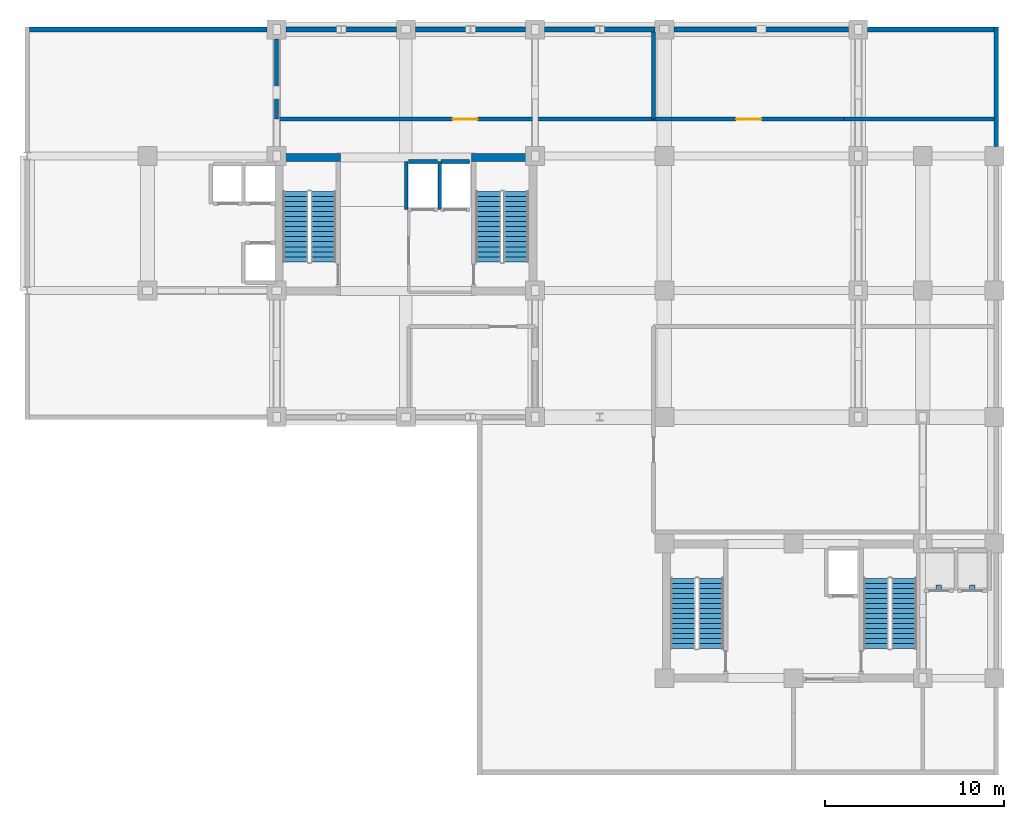
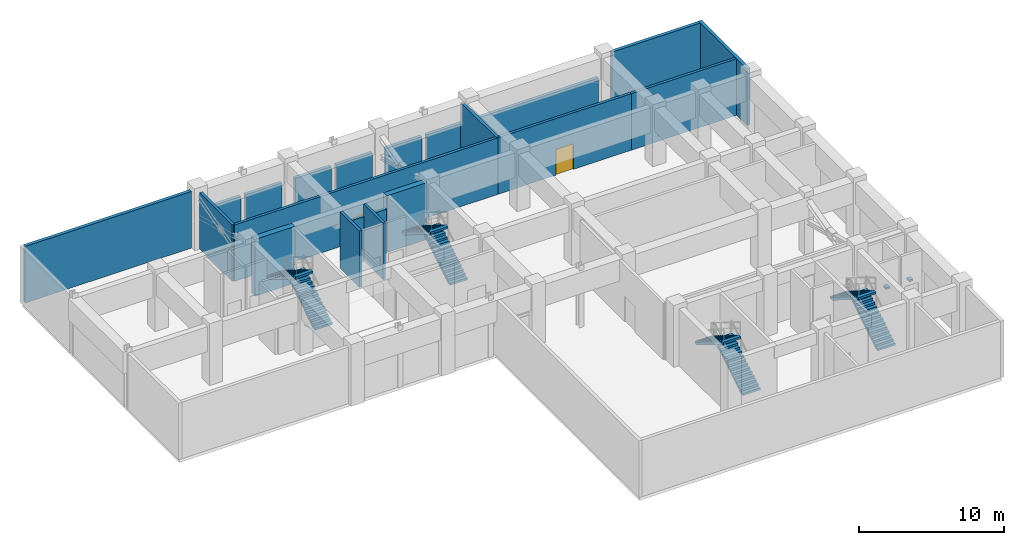
# One storey, part 6 of 10: 21 walls, 8 stair flights, 2 discrete accessories, 2 doors, 2 openings, 4 elements without a shape of their own.
"""IFC4 building model written with IfcOpenShell, lengths in metres."""

from ifc_helpers import new_model, si_unit, direction, frame, frame_2d, origin, origin_2d, place, context, subcontext, project, spatial, polyline, rectangle, outline, extrude, source, transform, mapped, material, layer, layer_set, type_object, element, fill, aggregate, save


model = new_model("IFC4")

# Units and contexts
model_context = context("Model", 3, precision=1e-05, world=origin(), true_north=direction((0.0, 1.0)))
body_context = subcontext(model_context, "Body", "Model", "MODEL_VIEW")
ifc_project = project(units=[si_unit("LENGTHUNIT", "METRE"), si_unit("AREAUNIT", "SQUARE_METRE"), si_unit("VOLUMEUNIT", "CUBIC_METRE"), si_unit("PLANEANGLEUNIT", "RADIAN"), si_unit("MASSUNIT", "GRAM", prefix="KILO")], contexts=[model_context])

# Site, building, storey
site_placement = place(None, origin())
site = spatial("IfcSite", under=ifc_project, at=site_placement, CompositionType="ELEMENT")
building_placement = place(site_placement, origin())
building = spatial("IfcBuilding", under=site, at=building_placement, Name="Kaliganga Portal Commons", CompositionType="ELEMENT")
storey_placement = place(building_placement, frame((0.0, 0.0, 192.0)))
storey = spatial("IfcBuildingStorey", under=building, at=storey_placement, Name="L49", CompositionType="ELEMENT", Elevation=192.0)

# Walls
ifc_material_1 = material(Name="Concrete C60/75", Category="concrete")
ifc_layer_1 = layer(ifc_material_1, 0.449951171875)
ifc_layer_set_1 = layer_set([ifc_layer_1], Name="Concrete C60/75")
wall_type_1 = type_object("IfcWallType", Name="WL-CORE-450", PredefinedType="SHEAR", material=ifc_layer_set_1)
for number, where, z_axis, x_axis, name in (
    (1, (14.75, 36.074951171875, 0.0), (0.0, 0.0, 1.0), (1.0, 0.0, 0.0), "Core A N-West Shear Wall L49"),
    (2, (25.25, 36.074951171875, 0.0), (0.0, 0.0, 1.0), (1.0, 0.0, 0.0), "Core A N-East Shear Wall L49"),
):
    element("IfcWall", number, at=place(storey_placement, frame(where, z_axis=z_axis, x_axis=x_axis)), inside=storey, type_object=wall_type_1, Name=name, PredefinedType="SHEAR", context=body_context, shape_type="SweptSolid", body=[
        extrude(rectangle(XDim=3.199951171875, YDim=0.449951171875, at=frame_2d((1.60009765625, 0.0))), origin(), (0.0, 0.0, 1.0), 4.780029296875),
    ])
ifc_material_2 = material(Name="Insulated Aluminium-Clad Spandrel Assembly", Category="aluminium")
ifc_layer_2 = layer(ifc_material_2, 0.260009765625)
ifc_layer_set_2 = layer_set([ifc_layer_2], Name="Insulated Aluminium-Clad Spandrel Assembly")
wall_type_2 = type_object("IfcWallType", Name="WL-EXT-SPAND-260", PredefinedType="STANDARD", material=ifc_layer_set_2)
wall_1_placement = place(storey_placement, frame((54.5, 43.330078125, 0.0), z_axis=(0.0, 0.0, 1.0), x_axis=(0.0, -1.0, 0.0)))
element("IfcWall", 3, at=wall_1_placement, inside=storey, type_object=wall_type_2, Name="Exterior Envelope Wall L49 P1-E01-S6", PredefinedType="STANDARD", context=body_context, shape_type="SweptSolid", body=[
    extrude(rectangle(XDim=6.654052734375, YDim=0.260009765625, at=frame_2d((3.3271484375, 0.0))), origin(), (0.0, 0.0, 1.0), 4.760009765625),
])
wall_2_placement = place(storey_placement, frame((47.325927734375, 43.199951171875, 0.0), z_axis=(0.0, 0.0, 1.0), x_axis=(1.0, 0.0, 0.0)))
element("IfcWall", 4, at=wall_2_placement, inside=storey, type_object=wall_type_2, Name="Exterior Envelope Wall L49 P1-E02-S1", PredefinedType="STANDARD", context=body_context, shape_type="SweptSolid", body=[
    extrude(rectangle(XDim=7.0390625, YDim=0.260009765625, at=frame_2d((3.51953125, 0.0))), origin(), (0.0, 0.0, 1.0), 4.760009765625),
])
wall_3_placement = place(storey_placement, frame((36.52587890625, 43.199951171875, 0.0), z_axis=(0.0, 0.0, 1.0), x_axis=(1.0, 0.0, 0.0)))
element("IfcWall", 5, at=wall_3_placement, inside=storey, type_object=wall_type_2, Name="Exterior Envelope Wall L49 P1-E02-S2", PredefinedType="STANDARD", context=body_context, shape_type="SweptSolid", body=[
    extrude(rectangle(XDim=9.748046875, YDim=0.260009765625, at=frame_2d((4.8740234375, 0.0))), origin(), (0.0, 0.0, 1.0), 2.9599609375),
])
for number, where, z_axis, x_axis, name in (
    (6, (32.60302734375, 43.199951171875, 0.0), (0.0, 0.0, 1.0), (1.0, 0.0, 0.0), "Exterior Envelope Wall L49 P1-E02-S3"),
    (7, (29.325927734375, 43.199951171875, 0.0), (0.0, 0.0, 1.0), (1.0, 0.0, 0.0), "Exterior Envelope Wall L49 P1-E02-S4"),
):
    element("IfcWall", number, at=place(storey_placement, frame(where, z_axis=z_axis, x_axis=x_axis)), inside=storey, type_object=wall_type_2, Name=name, PredefinedType="STANDARD", context=body_context, shape_type="SweptSolid", body=[
        extrude(rectangle(XDim=2.87109375, YDim=0.260009765625, at=frame_2d((1.435546875, 0.0))), origin(), (0.0, 0.0, 1.0), 2.9599609375),
    ])
wall_4_placement = place(storey_placement, frame((25.403076171875, 43.199951171875, 0.0), z_axis=(0.0, 0.0, 1.0), x_axis=(1.0, 0.0, 0.0)))
element("IfcWall", 8, at=wall_4_placement, inside=storey, type_object=wall_type_2, Name="Exterior Envelope Wall L49 P1-E02-S5", PredefinedType="STANDARD", context=body_context, shape_type="SweptSolid", body=[
    extrude(rectangle(XDim=2.870849609375, YDim=0.260009765625, at=frame_2d((1.435546875, 0.0))), origin(), (0.0, 0.0, 1.0), 2.9599609375),
])
for number, where, z_axis, x_axis, name in (
    (9, (22.1259765625, 43.199951171875, 0.0), (0.0, 0.0, 1.0), (1.0, 0.0, 0.0), "Exterior Envelope Wall L49 P1-E02-S6"),
    (10, (18.202880859375, 43.199951171875, 0.0), (0.0, 0.0, 1.0), (1.0, 0.0, 0.0), "Exterior Envelope Wall L49 P1-E02-S7"),
    (11, (14.926025390625, 43.199951171875, 0.0), (0.0, 0.0, 1.0), (1.0, 0.0, 0.0), "Exterior Envelope Wall L49 P1-E02-S8"),
):
    element("IfcWall", number, at=place(storey_placement, frame(where, z_axis=z_axis, x_axis=x_axis)), inside=storey, type_object=wall_type_2, Name=name, PredefinedType="STANDARD", context=body_context, shape_type="SweptSolid", body=[
        extrude(rectangle(XDim=2.87109375, YDim=0.260009765625, at=frame_2d((1.435546875, 0.0))), origin(), (0.0, 0.0, 1.0), 2.9599609375),
    ])
wall_5_placement = place(storey_placement, frame((0.635009765625, 43.199951171875, 0.0), z_axis=(0.0, 0.0, 1.0), x_axis=(1.0, 0.0, 0.0)))
element("IfcWall", 12, at=wall_5_placement, inside=storey, type_object=wall_type_2, Name="Exterior Envelope Wall L49 P1-E02-S9", PredefinedType="STANDARD", context=body_context, shape_type="SweptSolid", body=[
    extrude(rectangle(XDim=13.239013671875, YDim=0.260009765625, at=frame_2d((6.61962890625, 0.0))), origin(), (0.0, 0.0, 1.0), 4.760009765625),
])

# Wall, opening, door
ifc_material_3 = material(Name="Lightweight blockwork masonry", Category="masonry")
ifc_layer_3 = layer(ifc_material_3, 0.215087890625)
ifc_layer_set_3 = layer_set([ifc_layer_3], Name="Lightweight blockwork masonry")
wall_type_3 = type_object("IfcWallType", Name="WL-PART-PLANT-215", PredefinedType="PARTITIONING", material=ifc_layer_set_3)
wall_6_placement = place(storey_placement, frame((14.39990234375, 38.199951171875, 0.0), z_axis=(0.0, 0.0, 1.0), x_axis=(1.0, 0.0, 0.0)))
wall_6 = element("IfcWall", 13, at=wall_6_placement, inside=storey, type_object=wall_type_3, Name="Interior Partition L49-002", PredefinedType="PARTITIONING", context=body_context, shape_type="SweptSolid", body=[
    extrude(rectangle(XDim=21.0, YDim=0.215087890625, at=frame_2d((10.5, 0.0))), origin(), (0.0, 0.0, 1.0), 4.760009765625),
])
opening_1_placement = place(wall_6_placement, frame((9.800048828125, 0.0, 0.0)))
opening_1 = element("IfcOpeningElement", 14, at=opening_1_placement, cuts=wall_6, Name="Opening PD-01", PredefinedType="OPENING", context=body_context, shape_type="SweptSolid", body=[
    extrude(rectangle(XDim=1.39990234375, YDim=2.14990234375, at=frame_2d((0.699951171875, 1.074951171875))), frame((0.0, 0.11767578125, 0.0), z_axis=(0.0, -1.0, 0.0), x_axis=(1.0, 0.0, 0.0)), (0.0, 0.0, 1.0), 0.235107421875),
])
ifc_material_4 = material(Name="Heavy-Duty Steel Acoustic Louvre Fire Door", Category="steel")
door_type = type_object("IfcDoorType", Name="DR-PLANT-1400", OperationType="DOUBLE_DOOR_SINGLE_SWING", PredefinedType="DOOR", material=ifc_material_4)
door_1_placement = place(opening_1_placement, origin())
door_1 = element("IfcDoor", 15, at=door_1_placement, inside=storey, type_object=door_type, Name="Interior Door L49-AHU_N", OperationType="DOUBLE_DOOR_SINGLE_SWING", OverallHeight=2.14990234375, OverallWidth=1.39990234375, PredefinedType="DOOR", context=body_context, shape_type="SweptSolid", body=[
    extrude(rectangle(XDim=1.39990234375, YDim=2.14990234375, at=frame_2d((0.699951171875, 1.074951171875))), frame((0.0, 0.02490234375, 0.0), z_axis=(0.0, -1.0, 0.0), x_axis=(1.0, 0.0, 0.0)), (0.0, 0.0, 1.0), 0.050048828125),
])
fill(opening_1, door_1)

wall_7_placement = place(storey_placement, frame((35.39990234375, 38.199951171875, 0.0), z_axis=(0.0, 0.0, 1.0), x_axis=(1.0, 0.0, 0.0)))
wall_7 = element("IfcWall", 16, at=wall_7_placement, inside=storey, type_object=wall_type_3, Name="Interior Partition L49-004", PredefinedType="PARTITIONING", context=body_context, shape_type="SweptSolid", body=[
    extrude(rectangle(XDim=10.60009765625, YDim=0.215087890625, at=frame_2d((5.300048828125, 0.0))), origin(), (0.0, 0.0, 1.0), 4.760009765625),
])
opening_2_placement = place(wall_7_placement, frame((4.60009765625, 0.0, 0.0)))
opening_2 = element("IfcOpeningElement", 17, at=opening_2_placement, cuts=wall_7, Name="Opening PD-01", PredefinedType="OPENING", context=body_context, shape_type="SweptSolid", body=[
    extrude(rectangle(XDim=1.39990234375, YDim=2.14990234375, at=frame_2d((0.699951171875, 1.074951171875))), frame((0.0, 0.11767578125, 0.0), z_axis=(0.0, -1.0, 0.0), x_axis=(1.0, 0.0, 0.0)), (0.0, 0.0, 1.0), 0.235107421875),
])
door_2_placement = place(opening_2_placement, origin())
door_2 = element("IfcDoor", 18, at=door_2_placement, inside=storey, type_object=door_type, Name="Interior Door L49-ELEC", OperationType="DOUBLE_DOOR_SINGLE_SWING", OverallHeight=2.14990234375, OverallWidth=1.39990234375, PredefinedType="DOOR", context=body_context, shape_type="SweptSolid", body=[
    extrude(rectangle(XDim=1.39990234375, YDim=2.14990234375, at=frame_2d((0.699951171875, 1.074951171875))), frame((0.0, 0.02490234375, 0.0), z_axis=(0.0, -1.0, 0.0), x_axis=(1.0, 0.0, 0.0)), (0.0, 0.0, 1.0), 0.050048828125),
])
fill(opening_2, door_2)

# Walls
wall_8_placement = place(storey_placement, frame((46.0, 38.199951171875, 0.0), z_axis=(0.0, 0.0, 1.0), x_axis=(1.0, 0.0, 0.0)))
element("IfcWall", 19, at=wall_8_placement, inside=storey, type_object=wall_type_3, Name="Interior Partition L49-009", PredefinedType="PARTITIONING", context=body_context, shape_type="SweptSolid", body=[
    extrude(rectangle(XDim=8.367919921875, YDim=0.215087890625, at=frame_2d((4.18408203125, 0.0))), origin(), (0.0, 0.0, 1.0), 4.760009765625),
])
wall_9_placement = place(storey_placement, frame((14.39990234375, 38.199951171875, 0.0), z_axis=(0.0, 0.0, 1.0), x_axis=(0.0, 1.0, 0.0)))
element("IfcWall", 20, at=wall_9_placement, inside=storey, type_object=wall_type_3, Name="Interior Partition L49-014", PredefinedType="PARTITIONING", context=body_context, shape_type="SweptSolid", body=[
    extrude(rectangle(XDim=4.47509765625, YDim=0.215087890625, at=frame_2d((2.237548828125, 0.0))), origin(), (0.0, 0.0, 1.0), 4.760009765625),
])
wall_10_placement = place(storey_placement, frame((35.39990234375, 38.199951171875, 0.0), z_axis=(0.0, 0.0, 1.0), x_axis=(0.0, 1.0, 0.0)))
element("IfcWall", 21, at=wall_10_placement, inside=storey, type_object=wall_type_3, Name="Interior Partition L49-015", PredefinedType="PARTITIONING", context=body_context, shape_type="SweptSolid", body=[
    extrude(rectangle(XDim=4.8681640625, YDim=0.215087890625, at=frame_2d((2.43408203125, 0.0))), origin(), (0.0, 0.0, 1.0), 4.760009765625),
])
ifc_material_5 = material(Name="Fire-Rated Shaftwall Masonry Assembly", Category="masonry")
ifc_layer_4 = layer(ifc_material_5, 0.199951171875)
ifc_layer_set_4 = layer_set([ifc_layer_4], Name="Fire-Rated Shaftwall Masonry Assembly")
wall_type_4 = type_object("IfcWallType", Name="WL-SHAFT-200", PredefinedType="PARTITIONING", material=ifc_layer_set_4)
wall_11_placement = place(storey_placement, frame((21.75, 35.840087890625, 0.0), z_axis=(0.0, 0.0, 1.0), x_axis=(1.0, 0.0, 0.0)))
element("IfcWall", 22, at=wall_11_placement, inside=storey, type_object=wall_type_4, Name="Lift FFL-1 Hoistway Shaft Wall L49-N", PredefinedType="PARTITIONING", context=body_context, shape_type="SweptSolid", body=[
    extrude(rectangle(XDim=1.60009765625, YDim=0.199951171875, at=frame_2d((0.800048828125, 0.0))), origin(), (0.0, 0.0, 1.0), 3.760009765625),
])
for number, where, z_axis, x_axis, name in (
    (23, (21.610107421875, 33.159912109375, 0.0), (0.0, 0.0, 1.0), (0.0, 1.0, 0.0), "Lift FFL-1 Hoistway Shaft Wall L49-W"),
    (24, (23.489990234375, 33.159912109375, 0.0), (0.0, 0.0, 1.0), (0.0, 1.0, 0.0), "Lift FFL-1 Hoistway Shaft Wall L49-E"),
):
    element("IfcWall", number, at=place(storey_placement, frame(where, z_axis=z_axis, x_axis=x_axis)), inside=storey, type_object=wall_type_4, Name=name, PredefinedType="PARTITIONING", context=body_context, shape_type="SweptSolid", body=[
        extrude(rectangle(XDim=2.68017578125, YDim=0.199951171875, at=frame_2d((1.340087890625, 0.0))), origin(), (0.0, 0.0, 1.0), 4.760009765625),
    ])
wall_12_placement = place(storey_placement, frame((23.550048828125, 35.840087890625, 0.0), z_axis=(0.0, 0.0, 1.0), x_axis=(1.0, 0.0, 0.0)))
element("IfcWall", 25, at=wall_12_placement, inside=storey, type_object=wall_type_4, Name="Lift FFL-2 Hoistway Shaft Wall L49-N", PredefinedType="PARTITIONING", context=body_context, shape_type="SweptSolid", body=[
    extrude(rectangle(XDim=1.599853515625, YDim=0.199951171875, at=frame_2d((0.7998046875, 0.0))), origin(), (0.0, 0.0, 1.0), 3.760009765625),
])

# Stair, stair flights
ifc_material_6 = material(Name="Concrete C40/50", Category="concrete")
stair_type = type_object("IfcStairType", Name="ST-CORE-DOGLEG", PredefinedType="HALF_TURN_STAIR", material=ifc_material_6)
stair_1_placement = place(storey_placement, origin())
stair_1 = element("IfcStair", 26, at=stair_1_placement, inside=storey, type_object=stair_type, Name="L49 Protected Exit Stair ST-A1", PredefinedType="HALF_TURN_STAIR")
stair_flight_type = type_object("IfcStairFlightType", Name="STF-RC-1400", PredefinedType="STRAIGHT", material=ifc_material_6)
stair_flight_1_placement = place(storey_placement, frame((17.0, 30.25, 0.0), z_axis=(0.0, 0.0, 1.0), x_axis=(0.0, 1.0, 0.0)))
stair_flight_1 = element("IfcStairFlight", 27, at=stair_flight_1_placement, type_object=stair_flight_type, Name="ST-A1 flight 1", NumberOfRisers=15, NumberOfTreads=14, PredefinedType="STRAIGHT", RiserHeight=0.173333333, TreadLength=0.28, context=body_context, shape_type="SweptSolid", body=[
    extrude(outline(polyline([(0.0, 0.0), (0.0, 0.17333984375), (0.280029296875, 0.17333984375), (0.280029296875, 0.3466796875), (0.56005859375, 0.3466796875), (0.56005859375, 0.52001953125), (0.840087890625, 0.52001953125), (0.840087890625, 0.693359375), (1.1201171875, 0.693359375), (1.1201171875, 0.86669921875), (1.39990234375, 0.86669921875), (1.39990234375, 1.0400390625), (1.679931640625, 1.0400390625), (1.679931640625, 1.21337890625), (1.9599609375, 1.21337890625), (1.9599609375, 1.38671875), (2.239990234375, 1.38671875), (2.239990234375, 1.56005859375), (2.52001953125, 1.56005859375), (2.52001953125, 1.7333984375), (2.800048828125, 1.7333984375), (2.800048828125, 1.90673828125), (3.080078125, 1.90673828125), (3.080078125, 2.080078125), (3.360107421875, 2.080078125), (3.360107421875, 2.25341796875), (3.639892578125, 2.25341796875), (3.639892578125, 2.4267578125), (3.919921875, 2.4267578125), (3.919921875, 2.60009765625), (3.919921875, 2.250244140625), (0.284912109375, 0.0), (0.0, 0.0)])), frame((0.0, 0.699951171875, 0.0), z_axis=(0.0, -1.0, 0.0), x_axis=(1.0, 0.0, 0.0)), (0.0, 0.0, 1.0), 1.39990234375),
])
stair_flight_2_placement = place(storey_placement, frame((15.449951171875, 34.169921875, 2.60009765625), z_axis=(0.0, 0.0, 1.0), x_axis=(0.0, -1.0, 0.0)))
stair_flight_2 = element("IfcStairFlight", 28, at=stair_flight_2_placement, type_object=stair_flight_type, Name="ST-A1 flight 2", NumberOfRisers=15, NumberOfTreads=14, PredefinedType="STRAIGHT", RiserHeight=0.173333333, TreadLength=0.28, context=body_context, shape_type="SweptSolid", body=[
    extrude(outline(polyline([(0.0, 0.0), (0.0, 0.17333984375), (0.280029296875, 0.17333984375), (0.280029296875, 0.3466796875), (0.56005859375, 0.3466796875), (0.56005859375, 0.52001953125), (0.840087890625, 0.52001953125), (0.840087890625, 0.693359375), (1.1201171875, 0.693359375), (1.1201171875, 0.86669921875), (1.39990234375, 0.86669921875), (1.39990234375, 1.0400390625), (1.679931640625, 1.0400390625), (1.679931640625, 1.21337890625), (1.9599609375, 1.21337890625), (1.9599609375, 1.38671875), (2.239990234375, 1.38671875), (2.239990234375, 1.56005859375), (2.52001953125, 1.56005859375), (2.52001953125, 1.7333984375), (2.800048828125, 1.7333984375), (2.800048828125, 1.90673828125), (3.080078125, 1.90673828125), (3.080078125, 2.080078125), (3.360107421875, 2.080078125), (3.360107421875, 2.25341796875), (3.639892578125, 2.25341796875), (3.639892578125, 2.4267578125), (3.919921875, 2.4267578125), (3.919921875, 2.60009765625), (3.919921875, 2.250244140625), (0.284912109375, 0.0), (0.0, 0.0)])), frame((0.0, 0.699951171875, 0.0), z_axis=(0.0, -1.0, 0.0), x_axis=(1.0, 0.0, 0.0)), (0.0, 0.0, 1.0), 1.39990234375),
])
aggregate(stair_1, [stair_flight_1, stair_flight_2])

stair_2_placement = place(storey_placement, origin())
stair_2 = element("IfcStair", 29, at=stair_2_placement, inside=storey, type_object=stair_type, Name="L49 Protected Exit Stair ST-A2", PredefinedType="HALF_TURN_STAIR")
stair_flight_3_placement = place(storey_placement, frame((27.75, 30.25, 0.0), z_axis=(0.0, 0.0, 1.0), x_axis=(0.0, 1.0, 0.0)))
stair_flight_3 = element("IfcStairFlight", 30, at=stair_flight_3_placement, type_object=stair_flight_type, Name="ST-A2 flight 1", NumberOfRisers=15, NumberOfTreads=14, PredefinedType="STRAIGHT", RiserHeight=0.173333333, TreadLength=0.28, context=body_context, shape_type="SweptSolid", body=[
    extrude(outline(polyline([(0.0, 0.0), (0.0, 0.17333984375), (0.280029296875, 0.17333984375), (0.280029296875, 0.3466796875), (0.56005859375, 0.3466796875), (0.56005859375, 0.52001953125), (0.840087890625, 0.52001953125), (0.840087890625, 0.693359375), (1.1201171875, 0.693359375), (1.1201171875, 0.86669921875), (1.39990234375, 0.86669921875), (1.39990234375, 1.0400390625), (1.679931640625, 1.0400390625), (1.679931640625, 1.21337890625), (1.9599609375, 1.21337890625), (1.9599609375, 1.38671875), (2.239990234375, 1.38671875), (2.239990234375, 1.56005859375), (2.52001953125, 1.56005859375), (2.52001953125, 1.7333984375), (2.800048828125, 1.7333984375), (2.800048828125, 1.90673828125), (3.080078125, 1.90673828125), (3.080078125, 2.080078125), (3.360107421875, 2.080078125), (3.360107421875, 2.25341796875), (3.639892578125, 2.25341796875), (3.639892578125, 2.4267578125), (3.919921875, 2.4267578125), (3.919921875, 2.60009765625), (3.919921875, 2.250244140625), (0.284912109375, 0.0), (0.0, 0.0)])), frame((0.0, 0.699951171875, 0.0), z_axis=(0.0, -1.0, 0.0), x_axis=(1.0, 0.0, 0.0)), (0.0, 0.0, 1.0), 1.39990234375),
])
stair_flight_4_placement = place(storey_placement, frame((26.199951171875, 34.169921875, 2.60009765625), z_axis=(0.0, 0.0, 1.0), x_axis=(0.0, -1.0, 0.0)))
stair_flight_4 = element("IfcStairFlight", 31, at=stair_flight_4_placement, type_object=stair_flight_type, Name="ST-A2 flight 2", NumberOfRisers=15, NumberOfTreads=14, PredefinedType="STRAIGHT", RiserHeight=0.173333333, TreadLength=0.28, context=body_context, shape_type="SweptSolid", body=[
    extrude(outline(polyline([(0.0, 0.0), (0.0, 0.17333984375), (0.280029296875, 0.17333984375), (0.280029296875, 0.3466796875), (0.56005859375, 0.3466796875), (0.56005859375, 0.52001953125), (0.840087890625, 0.52001953125), (0.840087890625, 0.693359375), (1.1201171875, 0.693359375), (1.1201171875, 0.86669921875), (1.39990234375, 0.86669921875), (1.39990234375, 1.0400390625), (1.679931640625, 1.0400390625), (1.679931640625, 1.21337890625), (1.9599609375, 1.21337890625), (1.9599609375, 1.38671875), (2.239990234375, 1.38671875), (2.239990234375, 1.56005859375), (2.52001953125, 1.56005859375), (2.52001953125, 1.7333984375), (2.800048828125, 1.7333984375), (2.800048828125, 1.90673828125), (3.080078125, 1.90673828125), (3.080078125, 2.080078125), (3.360107421875, 2.080078125), (3.360107421875, 2.25341796875), (3.639892578125, 2.25341796875), (3.639892578125, 2.4267578125), (3.919921875, 2.4267578125), (3.919921875, 2.60009765625), (3.919921875, 2.250244140625), (0.284912109375, 0.0), (0.0, 0.0)])), frame((0.0, 0.699951171875, 0.0), z_axis=(0.0, -1.0, 0.0), x_axis=(1.0, 0.0, 0.0)), (0.0, 0.0, 1.0), 1.39990234375),
])
aggregate(stair_2, [stair_flight_3, stair_flight_4])

stair_3_placement = place(storey_placement, origin())
stair_3 = element("IfcStair", 32, at=stair_3_placement, inside=storey, type_object=stair_type, Name="L49 Protected Exit Stair ST-B1", PredefinedType="HALF_TURN_STAIR")
stair_flight_5_placement = place(storey_placement, frame((38.60009765625, 8.699951171875, 0.0), z_axis=(0.0, 0.0, 1.0), x_axis=(0.0, 1.0, 0.0)))
stair_flight_5 = element("IfcStairFlight", 33, at=stair_flight_5_placement, type_object=stair_flight_type, Name="ST-B1 flight 1", NumberOfRisers=15, NumberOfTreads=14, PredefinedType="STRAIGHT", RiserHeight=0.173333333, TreadLength=0.28, context=body_context, shape_type="SweptSolid", body=[
    extrude(outline(polyline([(0.0, 0.0), (0.0, 0.17333984375), (0.280029296875, 0.17333984375), (0.280029296875, 0.3466796875), (0.56005859375, 0.3466796875), (0.56005859375, 0.52001953125), (0.840087890625, 0.52001953125), (0.840087890625, 0.693359375), (1.1201171875, 0.693359375), (1.1201171875, 0.86669921875), (1.39990234375, 0.86669921875), (1.39990234375, 1.0400390625), (1.679931640625, 1.0400390625), (1.679931640625, 1.21337890625), (1.9599609375, 1.21337890625), (1.9599609375, 1.38671875), (2.239990234375, 1.38671875), (2.239990234375, 1.56005859375), (2.52001953125, 1.56005859375), (2.52001953125, 1.7333984375), (2.800048828125, 1.7333984375), (2.800048828125, 1.90673828125), (3.080078125, 1.90673828125), (3.080078125, 2.080078125), (3.360107421875, 2.080078125), (3.360107421875, 2.25341796875), (3.639892578125, 2.25341796875), (3.639892578125, 2.4267578125), (3.919921875, 2.4267578125), (3.919921875, 2.60009765625), (3.919921875, 2.250244140625), (0.284912109375, 0.0), (0.0, 0.0)])), frame((0.0, 0.699951171875, 0.0), z_axis=(0.0, -1.0, 0.0), x_axis=(1.0, 0.0, 0.0)), (0.0, 0.0, 1.0), 1.39990234375),
])
stair_flight_6_placement = place(storey_placement, frame((37.050048828125, 12.6201171875, 2.60009765625), z_axis=(0.0, 0.0, 1.0), x_axis=(0.0, -1.0, 0.0)))
stair_flight_6 = element("IfcStairFlight", 34, at=stair_flight_6_placement, type_object=stair_flight_type, Name="ST-B1 flight 2", NumberOfRisers=15, NumberOfTreads=14, PredefinedType="STRAIGHT", RiserHeight=0.173333333, TreadLength=0.28, context=body_context, shape_type="SweptSolid", body=[
    extrude(outline(polyline([(0.0, 0.0), (0.0, 0.17333984375), (0.280029296875, 0.17333984375), (0.280029296875, 0.3466796875), (0.56005859375, 0.3466796875), (0.56005859375, 0.52001953125), (0.840087890625, 0.52001953125), (0.840087890625, 0.693359375), (1.1201171875, 0.693359375), (1.1201171875, 0.86669921875), (1.39990234375, 0.86669921875), (1.39990234375, 1.0400390625), (1.679931640625, 1.0400390625), (1.679931640625, 1.21337890625), (1.9599609375, 1.21337890625), (1.9599609375, 1.38671875), (2.239990234375, 1.38671875), (2.239990234375, 1.56005859375), (2.52001953125, 1.56005859375), (2.52001953125, 1.7333984375), (2.800048828125, 1.7333984375), (2.800048828125, 1.90673828125), (3.080078125, 1.90673828125), (3.080078125, 2.080078125), (3.360107421875, 2.080078125), (3.360107421875, 2.25341796875), (3.639892578125, 2.25341796875), (3.639892578125, 2.4267578125), (3.919921875, 2.4267578125), (3.919921875, 2.60009765625), (3.919921875, 2.250244140625), (0.284912109375, 0.0), (0.0, 0.0)])), frame((0.0, 0.699951171875, 0.0), z_axis=(0.0, -1.0, 0.0), x_axis=(1.0, 0.0, 0.0)), (0.0, 0.0, 1.0), 1.39990234375),
])
aggregate(stair_3, [stair_flight_5, stair_flight_6])

stair_4_placement = place(storey_placement, origin())
stair_4 = element("IfcStair", 35, at=stair_4_placement, inside=storey, type_object=stair_type, Name="L49 Protected Exit Stair ST-B2", PredefinedType="HALF_TURN_STAIR")
stair_flight_7_placement = place(storey_placement, frame((49.35009765625, 8.699951171875, 0.0), z_axis=(0.0, 0.0, 1.0), x_axis=(0.0, 1.0, 0.0)))
stair_flight_7 = element("IfcStairFlight", 36, at=stair_flight_7_placement, type_object=stair_flight_type, Name="ST-B2 flight 1", NumberOfRisers=15, NumberOfTreads=14, PredefinedType="STRAIGHT", RiserHeight=0.173333333, TreadLength=0.28, context=body_context, shape_type="SweptSolid", body=[
    extrude(outline(polyline([(0.0, 0.0), (0.0, 0.17333984375), (0.280029296875, 0.17333984375), (0.280029296875, 0.3466796875), (0.56005859375, 0.3466796875), (0.56005859375, 0.52001953125), (0.840087890625, 0.52001953125), (0.840087890625, 0.693359375), (1.1201171875, 0.693359375), (1.1201171875, 0.86669921875), (1.39990234375, 0.86669921875), (1.39990234375, 1.0400390625), (1.679931640625, 1.0400390625), (1.679931640625, 1.21337890625), (1.9599609375, 1.21337890625), (1.9599609375, 1.38671875), (2.239990234375, 1.38671875), (2.239990234375, 1.56005859375), (2.52001953125, 1.56005859375), (2.52001953125, 1.7333984375), (2.800048828125, 1.7333984375), (2.800048828125, 1.90673828125), (3.080078125, 1.90673828125), (3.080078125, 2.080078125), (3.360107421875, 2.080078125), (3.360107421875, 2.25341796875), (3.639892578125, 2.25341796875), (3.639892578125, 2.4267578125), (3.919921875, 2.4267578125), (3.919921875, 2.60009765625), (3.919921875, 2.250244140625), (0.284912109375, 0.0), (0.0, 0.0)])), frame((0.0, 0.699951171875, 0.0), z_axis=(0.0, -1.0, 0.0), x_axis=(1.0, 0.0, 0.0)), (0.0, 0.0, 1.0), 1.39990234375),
])
stair_flight_8_placement = place(storey_placement, frame((47.800048828125, 12.6201171875, 2.60009765625), z_axis=(0.0, 0.0, 1.0), x_axis=(0.0, -1.0, 0.0)))
stair_flight_8 = element("IfcStairFlight", 37, at=stair_flight_8_placement, type_object=stair_flight_type, Name="ST-B2 flight 2", NumberOfRisers=15, NumberOfTreads=14, PredefinedType="STRAIGHT", RiserHeight=0.173333333, TreadLength=0.28, context=body_context, shape_type="SweptSolid", body=[
    extrude(outline(polyline([(0.0, 0.0), (0.0, 0.17333984375), (0.280029296875, 0.17333984375), (0.280029296875, 0.3466796875), (0.56005859375, 0.3466796875), (0.56005859375, 0.52001953125), (0.840087890625, 0.52001953125), (0.840087890625, 0.693359375), (1.1201171875, 0.693359375), (1.1201171875, 0.86669921875), (1.39990234375, 0.86669921875), (1.39990234375, 1.0400390625), (1.679931640625, 1.0400390625), (1.679931640625, 1.21337890625), (1.9599609375, 1.21337890625), (1.9599609375, 1.38671875), (2.239990234375, 1.38671875), (2.239990234375, 1.56005859375), (2.52001953125, 1.56005859375), (2.52001953125, 1.7333984375), (2.800048828125, 1.7333984375), (2.800048828125, 1.90673828125), (3.080078125, 1.90673828125), (3.080078125, 2.080078125), (3.360107421875, 2.080078125), (3.360107421875, 2.25341796875), (3.639892578125, 2.25341796875), (3.639892578125, 2.4267578125), (3.919921875, 2.4267578125), (3.919921875, 2.60009765625), (3.919921875, 2.250244140625), (0.284912109375, 0.0), (0.0, 0.0)])), frame((0.0, 0.699951171875, 0.0), z_axis=(0.0, -1.0, 0.0), x_axis=(1.0, 0.0, 0.0)), (0.0, 0.0, 1.0), 1.39990234375),
])
aggregate(stair_4, [stair_flight_7, stair_flight_8])

# Discrete accessories
ifc_material_7 = material(Name="Structural steel S355J2", Category="steel")
discrete_accessory_type = type_object("IfcDiscreteAccessoryType", Name="DAC-LIFT-GUIDE", PredefinedType="BRACKET", material=ifc_material_7)
shared_shape = source(origin(), body_context, "Body", "SweptSolid", [
    extrude(rectangle(XDim=0.300048828125, YDim=0.360107421875, at=origin_2d()), origin(), (0.0, 0.0, 1.0), 0.159912109375),
])
for number, where, z_axis, x_axis, name in (
    (38, (51.300048828125, 12.074951171875, 2.33984375), (0.0, 0.0, 1.0), (1.0, 0.0, 0.0), "Lift PL-B3 Guide-Rail Stabilizer Bracket"),
    (39, (53.14990234375, 12.074951171875, 2.33984375), (0.0, 0.0, 1.0), (1.0, 0.0, 0.0), "Lift PL-B4 Guide-Rail Stabilizer Bracket"),
):
    element("IfcDiscreteAccessory", number, at=place(storey_placement, frame(where, z_axis=z_axis, x_axis=x_axis)), inside=storey, type_object=discrete_accessory_type, Name=name, PredefinedType="BRACKET", context=body_context, shape_type="MappedRepresentation", body=[
        mapped(shared_shape, transform((0.0, 0.0, 0.0), x_axis=(1.0, 0.0, 0.0), y_axis=(0.0, 1.0, 0.0), z_axis=(0.0, 0.0, 1.0), scale=1.0)),
    ])

save(model, "model.ifc")
